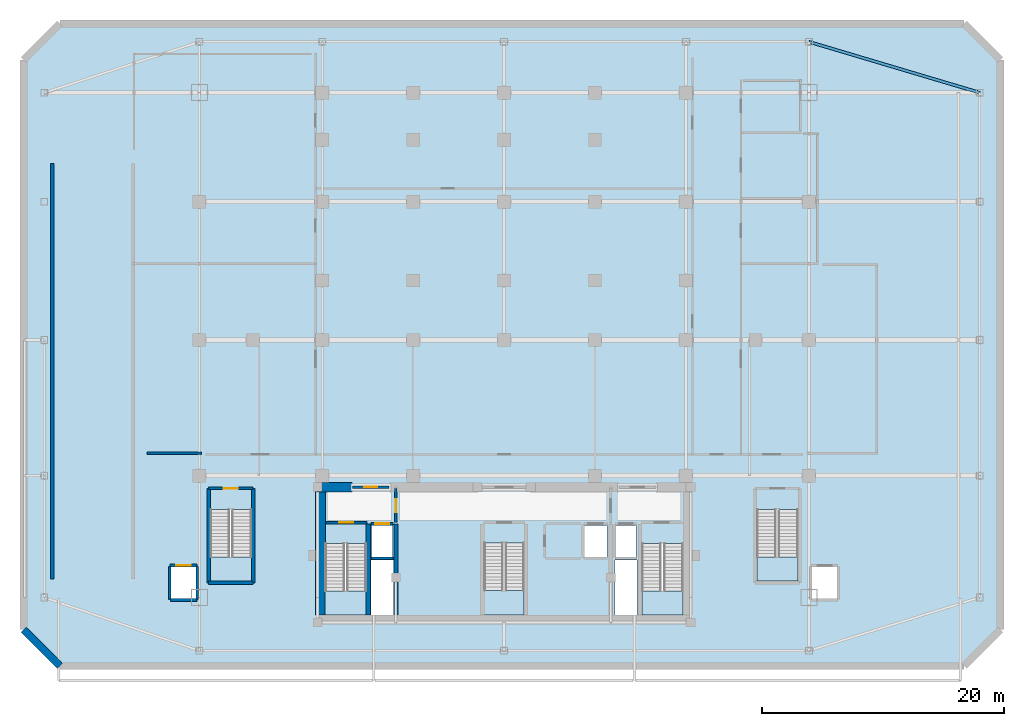
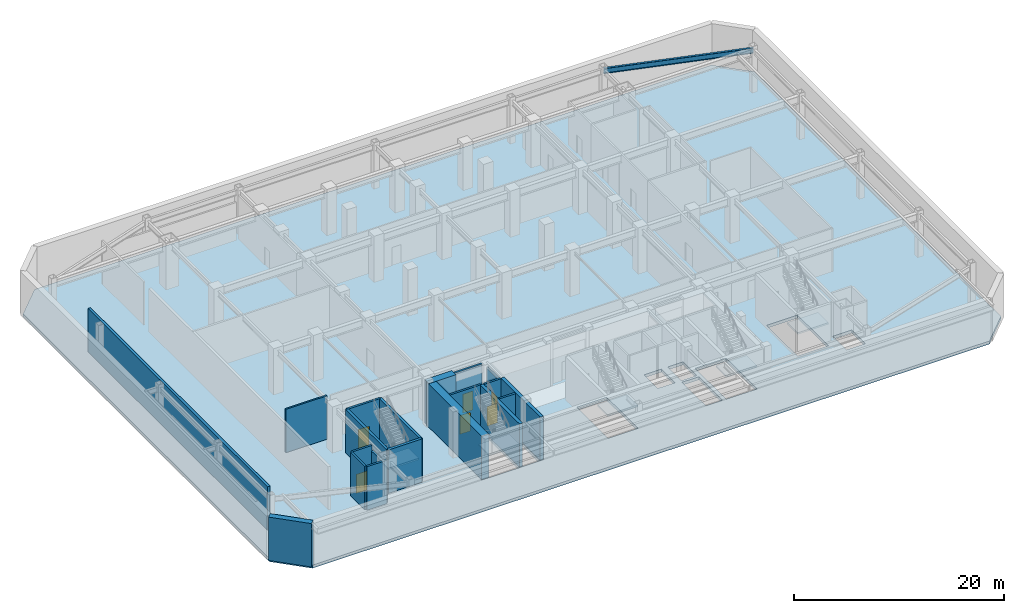
# One storey, part 3 of 9: 20 walls, 6 doors, 6 slabs, 1 beam, 6 openings, 5 elements without a shape of their own.
"""IFC4 building model written with IfcOpenShell, lengths in metres."""

from ifc_helpers import new_model, si_unit, direction, frame, frame_2d, origin, origin_2d, place, context, subcontext, project, spatial, polyline, rectangle, i_section, outline, extrude, material, layer, layer_set, material_profile, profile_set, type_object, element, fill, aggregate, save


model = new_model("IFC4")

# Units and contexts
model_context = context("Model", 3, precision=1e-05, world=origin(), true_north=direction((0.0, 1.0)))
body_context = subcontext(model_context, "Body", "Model", "MODEL_VIEW")
ifc_project = project(units=[si_unit("LENGTHUNIT", "METRE"), si_unit("AREAUNIT", "SQUARE_METRE"), si_unit("VOLUMEUNIT", "CUBIC_METRE"), si_unit("PLANEANGLEUNIT", "RADIAN"), si_unit("MASSUNIT", "GRAM", prefix="KILO")], contexts=[model_context])

# Site, building, storey
site_placement = place(None, origin())
site = spatial("IfcSite", under=ifc_project, at=site_placement, CompositionType="ELEMENT")
building_placement = place(site_placement, origin())
building = spatial("IfcBuilding", under=site, at=building_placement, Name="Ventersveld Concourse Tower", CompositionType="ELEMENT")
storey_placement = place(building_placement, frame((0.0, 0.0, -5.39990234375)))
storey = spatial("IfcBuildingStorey", under=building, at=storey_placement, Name="B01", CompositionType="ELEMENT", Elevation=-5.39990234375)

# Beam
ifc_material_1 = material(Name="Structural steel S355J2", Category="steel")
ifc_material_profile = material_profile(ifc_material_1, i_section(OverallWidth=0.230224609375, OverallDepth=0.6171875, WebThickness=0.01318359375, FlangeThickness=0.022216796875, FilletRadius=0.0126953125, at=origin_2d()), Name="UB 610x229x140")
ifc_profile_set = profile_set([ifc_material_profile], Name="Structural steel S355J2")
beam_type = type_object("IfcBeamType", Name="GRD-UB610", PredefinedType="USERDEFINED", material=ifc_profile_set)
beam_placement = place(storey_placement, frame((53.89990234375, 48.199951171875, 4.7412109375), z_axis=(0.958387132556, -0.285471722155, 0.0), x_axis=(0.285471722155, 0.958387132556, 0.0)))
element("IfcBeam", 1, at=beam_placement, inside=storey, type_object=beam_type, Name="B01 Plaza Support Girder NE", ObjectType="GIRDER", PredefinedType="USERDEFINED", context=body_context, shape_type="SweptSolid", body=[
    extrude(i_section(OverallWidth=0.230224609375, OverallDepth=0.6171875, WebThickness=0.01318359375, FlangeThickness=0.022216796875, FilletRadius=0.0126953125, at=origin_2d()), origin(), (0.0, 0.0, 1.0), 14.71240234375),
])

# Slab
ifc_material_2 = material(Name="Concrete C50/60", Category="concrete")
ifc_layer_1 = layer(ifc_material_2, 0.35009765625)
ifc_layer_set_1 = layer_set([ifc_layer_1], Name="Concrete C50/60")
slab_type_1 = type_object("IfcSlabType", Name="SL-FLR-350", PredefinedType="FLOOR", material=ifc_layer_set_1)
slab_1_placement = place(storey_placement, frame((0.0, 0.0, -0.35009765625)))
element("IfcSlab", 2, at=slab_1_placement, inside=storey, type_object=slab_type_1, Name="B01 Composite Floor Slab", PredefinedType="FLOOR", context=body_context, shape_type="SweptSolid", body=[
    extrude(outline(polyline([(-7.89990234375, -3.300048828125), (66.699951171875, -3.300048828125), (69.699951171875, -0.300048828125), (69.699951171875, 46.699951171875), (66.699951171875, 49.699951171875), (-7.89990234375, 49.699951171875), (-10.89990234375, 46.699951171875), (-10.89990234375, -0.300048828125), (-7.89990234375, -3.300048828125)]), holes=[polyline([(13.97998046875, 6.794921875), (13.97998046875, 0.89990234375), (17.3798828125, 0.89990234375), (17.3798828125, 6.794921875), (13.97998046875, 6.794921875)]), polyline([(40.1201171875, 6.794921875), (40.1201171875, 0.89990234375), (43.52001953125, 0.89990234375), (43.52001953125, 6.794921875), (40.1201171875, 6.794921875)]), polyline([(27.10009765625, 6.844970703125), (27.10009765625, 0.89990234375), (30.39990234375, 0.89990234375), (30.39990234375, 6.844970703125), (27.10009765625, 6.844970703125)]), polyline([(4.5, 9.594970703125), (4.5, 3.699951171875), (7.89990234375, 3.699951171875), (7.89990234375, 9.594970703125), (4.5, 9.594970703125)]), polyline([(49.60009765625, 9.594970703125), (49.60009765625, 3.699951171875), (53.0, 3.699951171875), (53.0, 9.594970703125), (49.60009765625, 9.594970703125)]), polyline([(17.85009765625, 5.699951171875), (19.530029296875, 5.699951171875), (19.530029296875, 8.300048828125), (17.85009765625, 8.300048828125), (17.85009765625, 5.699951171875)]), polyline([(37.969970703125, 5.699951171875), (39.64990234375, 5.699951171875), (39.64990234375, 8.300048828125), (37.969970703125, 8.300048828125), (37.969970703125, 5.699951171875)]), polyline([(35.35009765625, 5.699951171875), (37.25, 5.699951171875), (37.25, 8.300048828125), (35.35009765625, 8.300048828125), (35.35009765625, 5.699951171875)]), polyline([(1.25, 2.25), (3.35009765625, 2.25), (3.35009765625, 4.85009765625), (1.25, 4.85009765625), (1.25, 2.25)]), polyline([(54.14990234375, 2.25), (56.25, 2.25), (56.25, 4.85009765625), (54.14990234375, 4.85009765625), (54.14990234375, 2.25)]), polyline([(17.780029296875, 0.919921875), (19.6201171875, 0.919921875), (19.6201171875, 5.419921875), (17.780029296875, 5.419921875), (17.780029296875, 0.919921875)]), polyline([(37.8798828125, 0.919921875), (39.719970703125, 0.919921875), (39.719970703125, 5.419921875), (37.8798828125, 5.419921875), (37.8798828125, 0.919921875)])]), origin(), (0.0, 0.0, 1.0), 0.35009765625),
])

# Stair, slab
stair_type_1 = type_object("IfcStairType", Name="ST-DOG-160", PredefinedType="HALF_TURN_STAIR", material=ifc_material_2)
stair_1_placement = place(storey_placement, origin())
stair_1 = element("IfcStair", 3, at=stair_1_placement, inside=storey, type_object=stair_type_1, Name="B01 Protected Tower Escape Stair ST-01", PredefinedType="HALF_TURN_STAIR")
ifc_layer_2 = layer(ifc_material_2, 0.199951171875)
ifc_layer_set_2 = layer_set([ifc_layer_2], Name="Concrete C50/60")
slab_type_2 = type_object("IfcSlabType", Name="SL-LND-200", PredefinedType="LANDING", material=ifc_layer_set_2)
slab_2_placement = place(storey_placement, frame((0.0, 0.0, 2.5)))
slab_2 = element("IfcSlab", 4, at=slab_2_placement, type_object=slab_type_2, Name="ST-01 landing 1", PredefinedType="LANDING", context=body_context, shape_type="SweptSolid", body=[
    extrude(outline(polyline([(13.97998046875, 2.8798828125), (13.97998046875, 0.89990234375), (17.3798828125, 0.89990234375), (17.3798828125, 2.8798828125), (13.97998046875, 2.8798828125)])), origin(), (0.0, 0.0, 1.0), 0.199951171875),
])
aggregate(stair_1, [slab_2])

stair_2_placement = place(storey_placement, origin())
stair_2 = element("IfcStair", 5, at=stair_2_placement, inside=storey, type_object=stair_type_1, Name="B01 Protected Tower Escape Stair ST-02", PredefinedType="HALF_TURN_STAIR")
slab_3_placement = place(storey_placement, frame((0.0, 0.0, 2.5)))
slab_3 = element("IfcSlab", 6, at=slab_3_placement, type_object=slab_type_2, Name="ST-02 landing 1", PredefinedType="LANDING", context=body_context, shape_type="SweptSolid", body=[
    extrude(outline(polyline([(40.1201171875, 2.8798828125), (40.1201171875, 0.89990234375), (43.52001953125, 0.89990234375), (43.52001953125, 2.8798828125), (40.1201171875, 2.8798828125)])), origin(), (0.0, 0.0, 1.0), 0.199951171875),
])
aggregate(stair_2, [slab_3])

stair_type_2 = type_object("IfcStairType", Name="ST-DOG-155", PredefinedType="HALF_TURN_STAIR", material=ifc_material_2)
stair_3_placement = place(storey_placement, origin())
stair_3 = element("IfcStair", 7, at=stair_3_placement, inside=storey, type_object=stair_type_2, Name="B01 Protected Central Core Escape Stair ST-03", PredefinedType="HALF_TURN_STAIR")
slab_4_placement = place(storey_placement, frame((0.0, 0.0, 2.5)))
slab_4 = element("IfcSlab", 8, at=slab_4_placement, type_object=slab_type_2, Name="ST-03 landing 1", PredefinedType="LANDING", context=body_context, shape_type="SweptSolid", body=[
    extrude(outline(polyline([(27.10009765625, 2.929931640625), (27.10009765625, 0.89990234375), (30.39990234375, 0.89990234375), (30.39990234375, 2.929931640625), (27.10009765625, 2.929931640625)])), origin(), (0.0, 0.0, 1.0), 0.199951171875),
])
aggregate(stair_3, [slab_4])

stair_4_placement = place(storey_placement, origin())
stair_4 = element("IfcStair", 9, at=stair_4_placement, inside=storey, type_object=stair_type_1, Name="B01 Station Concourse West Escape Stair ST-04", PredefinedType="HALF_TURN_STAIR")
slab_5_placement = place(storey_placement, frame((0.0, 0.0, 2.5)))
slab_5 = element("IfcSlab", 10, at=slab_5_placement, type_object=slab_type_2, Name="ST-04 landing 1", PredefinedType="LANDING", context=body_context, shape_type="SweptSolid", body=[
    extrude(outline(polyline([(4.5, 5.679931640625), (4.5, 3.699951171875), (7.89990234375, 3.699951171875), (7.89990234375, 5.679931640625), (4.5, 5.679931640625)])), origin(), (0.0, 0.0, 1.0), 0.199951171875),
])
aggregate(stair_4, [slab_5])

stair_5_placement = place(storey_placement, origin())
stair_5 = element("IfcStair", 11, at=stair_5_placement, inside=storey, type_object=stair_type_1, Name="B01 Station Concourse East Escape Stair ST-05", PredefinedType="HALF_TURN_STAIR")
slab_6_placement = place(storey_placement, frame((0.0, 0.0, 2.5)))
slab_6 = element("IfcSlab", 12, at=slab_6_placement, type_object=slab_type_2, Name="ST-05 landing 1", PredefinedType="LANDING", context=body_context, shape_type="SweptSolid", body=[
    extrude(outline(polyline([(49.60009765625, 5.679931640625), (49.60009765625, 3.699951171875), (53.0, 3.699951171875), (53.0, 5.679931640625), (49.60009765625, 5.679931640625)])), origin(), (0.0, 0.0, 1.0), 0.199951171875),
])
aggregate(stair_5, [slab_6])

# Walls
ifc_material_3 = material(Name="Concrete C60/75", Category="concrete")
ifc_layer_3 = layer(ifc_material_3, 0.35009765625)
ifc_layer_set_3 = layer_set([ifc_layer_3], Name="Concrete C60/75")
wall_type_1 = type_object("IfcWallType", Name="WL-CORE-350L", PredefinedType="SHEAR", material=ifc_layer_set_3)
for number, where, z_axis, x_axis, name in (
    (13, (17.5400390625, 0.919921875, 0.0), (0.0, 0.0, 1.0), (0.0, 1.0, 0.0), "B01 Core Internal Shear Web W-ST1-E"),
    (14, (19.820068359375, 0.919921875, 0.0), (0.0, 0.0, 1.0), (0.0, 1.0, 0.0), "B01 Core Internal Shear Web W-FF1-E"),
):
    element("IfcWall", number, at=place(storey_placement, frame(where, z_axis=z_axis, x_axis=x_axis)), inside=storey, type_object=wall_type_1, Name=name, PredefinedType="SHEAR", context=body_context, shape_type="SweptSolid", body=[
        extrude(rectangle(XDim=7.5, YDim=0.35009765625, at=frame_2d((3.75, 0.0))), origin(), (0.0, 0.0, 1.0), 5.0498046875),
    ])
ifc_layer_4 = layer(ifc_material_3, 0.800048828125)
ifc_layer_set_4 = layer_set([ifc_layer_4], Name="Concrete C60/75")
wall_type_2 = type_object("IfcWallType", Name="WL-CORE-800", PredefinedType="SHEAR", material=ifc_layer_set_4)
wall_1_placement = place(storey_placement, frame((13.60009765625, 0.919921875, 0.0), z_axis=(0.0, 0.0, 1.0), x_axis=(0.0, 1.0, 0.0)))
element("IfcWall", 15, at=wall_1_placement, inside=storey, type_object=wall_type_2, Name="B01 Rear Core West Shear Wall", PredefinedType="SHEAR", context=body_context, shape_type="SweptSolid", body=[
    extrude(rectangle(XDim=10.530029296875, YDim=0.800048828125, at=frame_2d((5.26513671875, 0.0))), origin(), (0.0, 0.0, 1.0), 5.0498046875),
])
wall_2_placement = place(storey_placement, frame((13.25, 11.449951171875, 0.0), z_axis=(0.0, 0.0, 1.0), x_axis=(1.0, 0.0, 0.0)))
element("IfcWall", 16, at=wall_2_placement, inside=storey, type_object=wall_type_2, Name="B01 Rear Core North Shear Wall NW", PredefinedType="SHEAR", context=body_context, shape_type="SweptSolid", body=[
    extrude(rectangle(XDim=2.949951171875, YDim=0.800048828125, at=frame_2d((1.47509765625, 0.0))), origin(), (0.0, 0.0, 1.0), 5.0498046875),
])
ifc_material_4 = material(Name="Fire-rated autoclaved aerated masonry blockwork", Category="masonry")
ifc_layer_5 = layer(ifc_material_4, 0.179931640625)
ifc_layer_set_5 = layer_set([ifc_layer_5], Name="Fire-rated autoclaved aerated masonry blockwork")
wall_type_3 = type_object("IfcWallType", Name="WL-CORR-180", PredefinedType="PARTITIONING", material=ifc_layer_set_5)
wall_3_placement = place(storey_placement, frame((-0.705078125, 14.25, 0.0), z_axis=(0.0, 0.0, 1.0), x_axis=(1.0, 0.0, 0.0)))
element("IfcWall", 17, at=wall_3_placement, inside=storey, type_object=wall_type_3, Name="B01 Room Enclosure Wall SP-B01-SUB", PredefinedType="PARTITIONING", context=body_context, shape_type="SweptSolid", body=[
    extrude(rectangle(XDim=4.49755859375, YDim=0.179931640625, at=frame_2d((2.248779296875, 0.0))), origin(), (0.0, 0.0, 1.0), 5.0498046875),
])
ifc_layer_6 = layer(ifc_material_4, 0.219970703125)
ifc_layer_set_6 = layer_set([ifc_layer_6], Name="Fire-rated autoclaved aerated masonry blockwork")
wall_type_4 = type_object("IfcWallType", Name="WL-HOIST-220", PredefinedType="SOLIDWALL", material=ifc_layer_set_6)
wall_4_placement = place(storey_placement, frame((17.800048828125, 5.590087890625, 0.0), z_axis=(0.0, 0.0, 1.0), x_axis=(1.0, 0.0, 0.0)))
element("IfcWall", 18, at=wall_4_placement, inside=storey, type_object=wall_type_4, Name="B01 Lift Hoistway Back Wall FFL-01", PredefinedType="SOLIDWALL", context=body_context, shape_type="SweptSolid", body=[
    extrude(rectangle(XDim=1.780029296875, YDim=0.219970703125, at=frame_2d((0.89013671875, 0.0))), origin(), (0.0, 0.0, 1.0), 5.0498046875),
])

# Wall, opening, door
wall_5_placement = place(storey_placement, frame((17.780029296875, 8.429931640625, 0.0), z_axis=(0.0, 0.0, 1.0), x_axis=(1.0, 0.0, 0.0)))
wall_5 = element("IfcWall", 19, at=wall_5_placement, inside=storey, type_object=wall_type_4, Name="B01 Lift Hoistway Front Wall FFL-01", PredefinedType="SOLIDWALL", context=body_context, shape_type="SweptSolid", body=[
    extrude(rectangle(XDim=1.820068359375, YDim=0.219970703125, at=frame_2d((0.91015625, 0.0))), origin(), (0.0, 0.0, 1.0), 5.0498046875),
])
opening_1_placement = place(wall_5_placement, frame((0.35009765625, 0.0, 0.0)))
opening_1 = element("IfcOpeningElement", 20, at=opening_1_placement, cuts=wall_5, Name="Opening LD1", PredefinedType="OPENING", context=body_context, shape_type="SweptSolid", body=[
    extrude(rectangle(XDim=1.1201171875, YDim=2.25, at=frame_2d((0.56005859375, 1.125))), frame((0.0, 0.1201171875, 0.0), z_axis=(0.0, -1.0, 0.0), x_axis=(1.0, 0.0, 0.0)), (0.0, 0.0, 1.0), 0.239990234375),
])
ifc_material_5 = material(Name="Brushed stainless steel 316", Category="steel")
door_type_1 = type_object("IfcDoorType", Name="LD-FF-112", OperationType="SLIDING_TO_LEFT", PredefinedType="DOOR", material=ifc_material_5)
door_1_placement = place(opening_1_placement, origin())
door_1 = element("IfcDoor", 21, at=door_1_placement, inside=storey, type_object=door_type_1, Name="B01 Lift landing door FFL-01 (LD-B01-FFL-01)", OperationType="SLIDING_TO_RIGHT", OverallHeight=2.25, OverallWidth=1.1201171875, PredefinedType="DOOR", context=body_context, shape_type="SweptSolid", body=[
    extrude(rectangle(XDim=1.1201171875, YDim=2.25, at=frame_2d((0.56005859375, 1.125))), frame((0.0, 0.02490234375, 0.0), z_axis=(0.0, -1.0, 0.0), x_axis=(1.0, 0.0, 0.0)), (0.0, 0.0, 1.0), 0.050048828125),
])
fill(opening_1, door_1)

# Walls
wall_6_placement = place(storey_placement, frame((1.199951171875, 2.139892578125, 0.0), z_axis=(0.0, 0.0, 1.0), x_axis=(1.0, 0.0, 0.0)))
element("IfcWall", 22, at=wall_6_placement, inside=storey, type_object=wall_type_4, Name="B01 Lift Hoistway Back Wall SL-01", PredefinedType="SOLIDWALL", context=body_context, shape_type="SweptSolid", body=[
    extrude(rectangle(XDim=2.199951171875, YDim=0.219970703125, at=frame_2d((1.10009765625, 0.0))), origin(), (0.0, 0.0, 1.0), 5.0498046875),
])
wall_7_placement = place(storey_placement, frame((1.159912109375, 2.199951171875, 0.0), z_axis=(0.0, 0.0, 1.0), x_axis=(0.0, 1.0, 0.0)))
element("IfcWall", 23, at=wall_7_placement, inside=storey, type_object=wall_type_4, Name="B01 Lift Hoistway Side Wall SL-01W", PredefinedType="SOLIDWALL", context=body_context, shape_type="SweptSolid", body=[
    extrude(rectangle(XDim=2.699951171875, YDim=0.219970703125, at=frame_2d((1.35009765625, 0.0))), origin(), (0.0, 0.0, 1.0), 5.0498046875),
])
wall_8_placement = place(storey_placement, frame((3.43994140625, 2.199951171875, 0.0), z_axis=(0.0, 0.0, 1.0), x_axis=(0.0, 1.0, 0.0)))
element("IfcWall", 24, at=wall_8_placement, inside=storey, type_object=wall_type_4, Name="B01 Lift Hoistway Side Wall SL-01E", PredefinedType="SOLIDWALL", context=body_context, shape_type="SweptSolid", body=[
    extrude(rectangle(XDim=2.699951171875, YDim=0.219970703125, at=frame_2d((1.35009765625, 0.0))), origin(), (0.0, 0.0, 1.0), 4.4326171875),
])

# Wall, opening, door
wall_9_placement = place(storey_placement, frame((1.179931640625, 4.97998046875, 0.0), z_axis=(0.0, 0.0, 1.0), x_axis=(1.0, 0.0, 0.0)))
wall_9 = element("IfcWall", 25, at=wall_9_placement, inside=storey, type_object=wall_type_4, Name="B01 Lift Hoistway Front Wall SL-01", PredefinedType="SOLIDWALL", context=body_context, shape_type="SweptSolid", body=[
    extrude(rectangle(XDim=2.239990234375, YDim=0.219970703125, at=frame_2d((1.1201171875, 0.0))), origin(), (0.0, 0.0, 1.0), 5.0498046875),
])
opening_2_placement = place(wall_9_placement, frame((0.530029296875, 0.0, 0.0)))
opening_2 = element("IfcOpeningElement", 26, at=opening_2_placement, cuts=wall_9, Name="Opening LD2", PredefinedType="OPENING", context=body_context, shape_type="SweptSolid", body=[
    extrude(rectangle(XDim=1.179931640625, YDim=2.199951171875, at=frame_2d((0.58984375, 1.10009765625))), frame((0.0, 0.1201171875, 0.0), z_axis=(0.0, -1.0, 0.0), x_axis=(1.0, 0.0, 0.0)), (0.0, 0.0, 1.0), 0.239990234375),
])
door_type_2 = type_object("IfcDoorType", Name="LD-PAX-118", OperationType="SLIDING_TO_LEFT", PredefinedType="DOOR", material=ifc_material_5)
door_2_placement = place(opening_2_placement, origin())
door_2 = element("IfcDoor", 27, at=door_2_placement, inside=storey, type_object=door_type_2, Name="B01 Lift landing door SL-01 (LD-B01-SL-01)", OperationType="SLIDING_TO_LEFT", OverallHeight=2.199951171875, OverallWidth=1.179931640625, PredefinedType="DOOR", context=body_context, shape_type="SweptSolid", body=[
    extrude(rectangle(XDim=1.179931640625, YDim=2.199951171875, at=frame_2d((0.58984375, 1.10009765625))), frame((0.0, 0.02490234375, 0.0), z_axis=(0.0, -1.0, 0.0), x_axis=(1.0, 0.0, 0.0)), (0.0, 0.0, 1.0), 0.050048828125),
])
fill(opening_2, door_2)

wall_10_placement = place(storey_placement, frame((14.0400390625, 8.52001953125, 0.0), z_axis=(0.0, 0.0, 1.0), x_axis=(1.0, 0.0, 0.0)))
wall_10 = element("IfcWall", 28, at=wall_10_placement, inside=storey, type_object=wall_type_4, Name="B01 Escape Stair ST01 Fire Wall", PredefinedType="SOLIDWALL", context=body_context, shape_type="SweptSolid", body=[
    extrude(rectangle(XDim=3.39990234375, YDim=0.219970703125, at=frame_2d((1.699951171875, 0.0))), origin(), (0.0, 0.0, 1.0), 5.0498046875),
])
opening_3_placement = place(wall_10_placement, frame((1.125, 0.0, 0.0)))
opening_3 = element("IfcOpeningElement", 29, at=opening_3_placement, cuts=wall_10, Name="Opening FD1", PredefinedType="OPENING", context=body_context, shape_type="SweptSolid", body=[
    extrude(rectangle(XDim=1.14990234375, YDim=2.199951171875, at=frame_2d((0.574951171875, 1.10009765625))), frame((0.0, 0.1201171875, 0.0), z_axis=(0.0, -1.0, 0.0), x_axis=(1.0, 0.0, 0.0)), (0.0, 0.0, 1.0), 0.239990234375),
])
ifc_material_6 = material(Name="Galvanised painted steel", Category="steel")
door_type_3 = type_object("IfcDoorType", Name="DR-STAIR-115", OperationType="NOTDEFINED", PredefinedType="DOOR", material=ifc_material_6)
door_3_placement = place(opening_3_placement, origin())
door_3 = element("IfcDoor", 30, at=door_3_placement, inside=storey, type_object=door_type_3, Name="B01 Escape Stair Door ST01 (SD-B01-0024)", OperationType="SINGLE_SWING_LEFT", OverallHeight=2.199951171875, OverallWidth=1.14990234375, PredefinedType="DOOR", context=body_context, shape_type="SweptSolid", body=[
    extrude(rectangle(XDim=1.14990234375, YDim=2.199951171875, at=frame_2d((0.574951171875, 1.10009765625))), frame((0.0, 0.02490234375, 0.0), z_axis=(0.0, -1.0, 0.0), x_axis=(1.0, 0.0, 0.0)), (0.0, 0.0, 1.0), 0.050048828125),
])
fill(opening_3, door_3)

wall_11_placement = place(storey_placement, frame((4.360107421875, 11.35009765625, 0.0), z_axis=(0.0, 0.0, 1.0), x_axis=(1.0, 0.0, 0.0)))
wall_11 = element("IfcWall", 31, at=wall_11_placement, inside=storey, type_object=wall_type_4, Name="B01 Escape Stair ST04 Fire Wall", PredefinedType="SOLIDWALL", context=body_context, shape_type="SweptSolid", body=[
    extrude(rectangle(XDim=3.679931640625, YDim=0.219970703125, at=frame_2d((1.83984375, 0.0))), origin(), (0.0, 0.0, 1.0), 5.0498046875),
])
opening_4_placement = place(wall_11_placement, frame((1.264892578125, 0.0, 0.0)))
opening_4 = element("IfcOpeningElement", 32, at=opening_4_placement, cuts=wall_11, Name="Opening FD1", PredefinedType="OPENING", context=body_context, shape_type="SweptSolid", body=[
    extrude(rectangle(XDim=1.14990234375, YDim=2.199951171875, at=frame_2d((0.574951171875, 1.10009765625))), frame((0.0, 0.1201171875, 0.0), z_axis=(0.0, -1.0, 0.0), x_axis=(1.0, 0.0, 0.0)), (0.0, 0.0, 1.0), 0.239990234375),
])
door_4_placement = place(opening_4_placement, origin())
door_4 = element("IfcDoor", 33, at=door_4_placement, inside=storey, type_object=door_type_3, Name="B01 Escape Stair Door ST04 (SD-B01-0027)", OperationType="SINGLE_SWING_RIGHT", OverallHeight=2.199951171875, OverallWidth=1.14990234375, PredefinedType="DOOR", context=body_context, shape_type="SweptSolid", body=[
    extrude(rectangle(XDim=1.14990234375, YDim=2.199951171875, at=frame_2d((0.574951171875, 1.10009765625))), frame((0.0, 0.02490234375, 0.0), z_axis=(0.0, -1.0, 0.0), x_axis=(1.0, 0.0, 0.0)), (0.0, 0.0, 1.0), 0.050048828125),
])
fill(opening_4, door_4)

wall_12_placement = place(storey_placement, frame((19.820068359375, 8.52001953125, 0.0), z_axis=(0.0, 0.0, 1.0), x_axis=(0.0, 1.0, 0.0)))
wall_12 = element("IfcWall", 34, at=wall_12_placement, inside=storey, type_object=wall_type_4, Name="B01 Firefighting Lobby Smoke-Stop Wall FFLW-SEP", PredefinedType="SOLIDWALL", context=body_context, shape_type="SweptSolid", body=[
    extrude(rectangle(XDim=2.800048828125, YDim=0.219970703125, at=frame_2d((1.39990234375, 0.0))), origin(), (0.0, 0.0, 1.0), 4.50537109375),
])
opening_5_placement = place(wall_12_placement, frame((0.85009765625, 0.0, 0.0)))
opening_5 = element("IfcOpeningElement", 35, at=opening_5_placement, cuts=wall_12, Name="Opening FD2", PredefinedType="OPENING", context=body_context, shape_type="SweptSolid", body=[
    extrude(rectangle(XDim=1.10009765625, YDim=2.199951171875, at=frame_2d((0.550048828125, 1.10009765625))), frame((0.0, 0.1201171875, 0.0), z_axis=(0.0, -1.0, 0.0), x_axis=(1.0, 0.0, 0.0)), (0.0, 0.0, 1.0), 0.239990234375),
])
door_type_4 = type_object("IfcDoorType", Name="DR-FFL-110", OperationType="NOTDEFINED", PredefinedType="DOOR", material=ifc_material_6)
door_5_placement = place(opening_5_placement, origin())
door_5 = element("IfcDoor", 36, at=door_5_placement, inside=storey, type_object=door_type_4, Name="B01 Firefighting Lobby Door FFLW-SEP (FD-B01-0029)", OperationType="SINGLE_SWING_LEFT", OverallHeight=2.199951171875, OverallWidth=1.10009765625, PredefinedType="DOOR", context=body_context, shape_type="SweptSolid", body=[
    extrude(rectangle(XDim=1.10009765625, YDim=2.199951171875, at=frame_2d((0.550048828125, 1.10009765625))), frame((0.0, 0.02490234375, 0.0), z_axis=(0.0, -1.0, 0.0), x_axis=(1.0, 0.0, 0.0)), (0.0, 0.0, 1.0), 0.050048828125),
])
fill(opening_5, door_5)

wall_13_placement = place(storey_placement, frame((16.22998046875, 11.449951171875, 0.0), z_axis=(0.0, 0.0, 1.0), x_axis=(1.0, 0.0, 0.0)))
wall_13 = element("IfcWall", 37, at=wall_13_placement, inside=storey, type_object=wall_type_4, Name="B01 Core North Fire Portal FFLW-OUT", PredefinedType="SOLIDWALL", context=body_context, shape_type="SweptSolid", body=[
    extrude(rectangle(XDim=3.0400390625, YDim=0.219970703125, at=frame_2d((1.52001953125, 0.0))), origin(), (0.0, 0.0, 1.0), 5.0498046875),
])
opening_6_placement = place(wall_13_placement, frame((0.969970703125, 0.0, 0.0)))
opening_6 = element("IfcOpeningElement", 38, at=opening_6_placement, cuts=wall_13, Name="Opening FD2", PredefinedType="OPENING", context=body_context, shape_type="SweptSolid", body=[
    extrude(rectangle(XDim=1.10009765625, YDim=2.199951171875, at=frame_2d((0.550048828125, 1.10009765625))), frame((0.0, 0.1201171875, 0.0), z_axis=(0.0, -1.0, 0.0), x_axis=(1.0, 0.0, 0.0)), (0.0, 0.0, 1.0), 0.239990234375),
])
door_6_placement = place(opening_6_placement, origin())
door_6 = element("IfcDoor", 39, at=door_6_placement, inside=storey, type_object=door_type_4, Name="B01 Core Lobby Fire Door FFLW-OUT (FD-B01-0031)", OperationType="SINGLE_SWING_RIGHT", OverallHeight=2.199951171875, OverallWidth=1.10009765625, PredefinedType="DOOR", context=body_context, shape_type="SweptSolid", body=[
    extrude(rectangle(XDim=1.10009765625, YDim=2.199951171875, at=frame_2d((0.550048828125, 1.10009765625))), frame((0.0, 0.02490234375, 0.0), z_axis=(0.0, -1.0, 0.0), x_axis=(1.0, 0.0, 0.0)), (0.0, 0.0, 1.0), 0.050048828125),
])
fill(opening_6, door_6)

# Walls
ifc_layer_7 = layer(ifc_material_2, 0.60009765625)
ifc_layer_set_7 = layer_set([ifc_layer_7], Name="Concrete C50/60")
wall_type_5 = type_object("IfcWallType", Name="WL-RET-600", PredefinedType="SOLIDWALL", material=ifc_layer_set_7)
wall_14_placement = place(storey_placement, frame((-10.89990234375, -0.300048828125, 0.0), z_axis=(0.0, 0.0, 1.0), x_axis=(0.707106781187, -0.707106781187, 0.0)))
element("IfcWall", 40, at=wall_14_placement, inside=storey, type_object=wall_type_5, Name="B01 Basement Retaining Wall 08", PredefinedType="SOLIDWALL", context=body_context, shape_type="SweptSolid", body=[
    extrude(rectangle(XDim=4.24267578125, YDim=0.60009765625, at=frame_2d((2.121337890625, 0.0))), origin(), (0.0, 0.0, 1.0), 5.0498046875),
])
ifc_layer_8 = layer(ifc_material_2, 0.280029296875)
ifc_layer_set_8 = layer_set([ifc_layer_8], Name="Concrete C50/60")
wall_type_6 = type_object("IfcWallType", Name="WL-SHAFT-280", PredefinedType="SHEAR", material=ifc_layer_set_8)
wall_15_placement = place(storey_placement, frame((-8.5400390625, 3.8798828125, 0.0), z_axis=(0.0, 0.0, 1.0), x_axis=(0.0, 1.0, 0.0)))
element("IfcWall", 41, at=wall_15_placement, inside=storey, type_object=wall_type_6, Name="B01 Ramp Structural Shaft Wall RMPW-W", PredefinedType="SHEAR", context=body_context, shape_type="SweptSolid", body=[
    extrude(rectangle(XDim=34.27001953125, YDim=0.280029296875, at=frame_2d((17.135009765625, 0.0))), origin(), (0.0, 0.0, 1.0), 5.0498046875),
])
wall_16_placement = place(storey_placement, frame((4.360107421875, 3.56005859375, 0.0), z_axis=(0.0, 0.0, 1.0), x_axis=(1.0, 0.0, 0.0)))
element("IfcWall", 42, at=wall_16_placement, inside=storey, type_object=wall_type_6, Name="B01 ST04 Structural Shaft Wall S", PredefinedType="SHEAR", context=body_context, shape_type="SweptSolid", body=[
    extrude(rectangle(XDim=3.679931640625, YDim=0.280029296875, at=frame_2d((1.83984375, 0.0))), origin(), (0.0, 0.0, 1.0), 5.0498046875),
])
for number, where, z_axis, x_axis, name in (
    (43, (4.360107421875, 3.56005859375, 0.0), (0.0, 0.0, 1.0), (0.0, 1.0, 0.0), "B01 ST04 Structural Shaft Wall W"),
    (44, (8.0400390625, 3.56005859375, 0.0), (0.0, 0.0, 1.0), (0.0, 1.0, 0.0), "B01 ST04 Structural Shaft Wall E"),
):
    element("IfcWall", number, at=place(storey_placement, frame(where, z_axis=z_axis, x_axis=x_axis)), inside=storey, type_object=wall_type_6, Name=name, PredefinedType="SHEAR", context=body_context, shape_type="SweptSolid", body=[
        extrude(rectangle(XDim=7.7900390625, YDim=0.280029296875, at=frame_2d((3.89501953125, 0.0))), origin(), (0.0, 0.0, 1.0), 5.0498046875),
    ])

save(model, "model.ifc")
